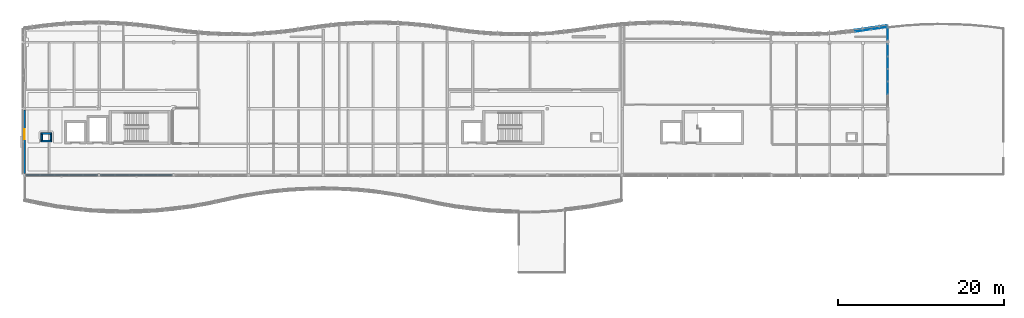
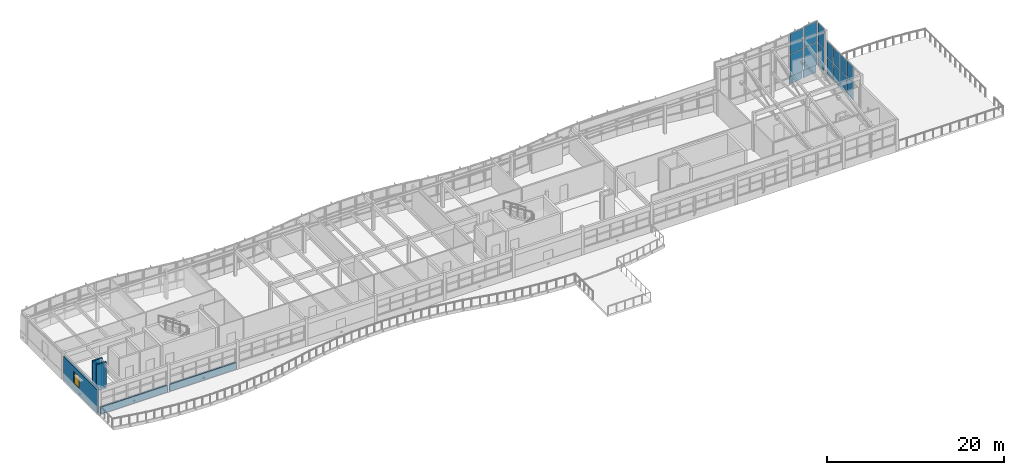
# One storey, part 19 of 33: 16 plates, 7 walls, 1 window, 1 opening, 4 elements without a shape of their own.
"""IFC4 building model written with IfcOpenShell, lengths in metres."""

from ifc_helpers import new_model, si_unit, direction, frame, frame_2d, origin, origin_2d, place, context, subcontext, project, spatial, rectangle, extrude, material, layer, layer_set, type_object, element, fill, aggregate, save


model = new_model("IFC4")

# Units and contexts
model_context = context("Model", 3, precision=1e-05, world=origin(), true_north=direction((0.0, 1.0)))
body_context = subcontext(model_context, "Body", "Model", "MODEL_VIEW")
ifc_project = project(units=[si_unit("LENGTHUNIT", "METRE"), si_unit("AREAUNIT", "SQUARE_METRE"), si_unit("VOLUMEUNIT", "CUBIC_METRE"), si_unit("PLANEANGLEUNIT", "RADIAN"), si_unit("MASSUNIT", "GRAM", prefix="KILO")], contexts=[model_context])

# Site, building, storey
site_placement = place(None, origin())
site = spatial("IfcSite", under=ifc_project, at=site_placement, CompositionType="ELEMENT")
building_placement = place(site_placement, origin())
building = spatial("IfcBuilding", under=site, at=building_placement, Name="Tonlespit Floodbar School", CompositionType="ELEMENT")
storey_placement = place(building_placement, frame((0.0, 0.0, 16.199951171875)))
storey = spatial("IfcBuildingStorey", under=building, at=storey_placement, Name="L04", CompositionType="ELEMENT", Elevation=16.199951171875)

# Curtain wall, plates
ifc_material_1 = material(Name="Anodised Aluminium", Category="aluminium")
ifc_layer_1 = layer(ifc_material_1, 0.159912109375)
ifc_layer_set_1 = layer_set([ifc_layer_1], Name="Anodised Aluminium")
curtain_wall_type_1 = type_object("IfcCurtainWallType", Name="CurtainWall_1950x6150", PredefinedType="NOTDEFINED", material=ifc_layer_set_1)
curtain_wall_1_placement = place(storey_placement, origin())
curtain_wall_1 = element("IfcCurtainWall", 1, at=curtain_wall_1_placement, inside=storey, type_object=curtain_wall_type_1, Name="L04 unitised curtain wall 0489", PredefinedType="NOTDEFINED")
ifc_material_2 = material(Name="Laminated Low-E Glass", Category="glass")
ifc_layer_2 = layer(ifc_material_2, 0.028076171875)
ifc_layer_set_2 = layer_set([ifc_layer_2], Name="Laminated Low-E Glass")
plate_type_1 = type_object("IfcPlateType", Name="CW_Panel_Glaz_28", PredefinedType="CURTAIN_PANEL", material=ifc_layer_set_2)
plate_1_placement = place(storey_placement, frame((147.0, 121.69580078125, 1.01513671875), z_axis=(0.0, 0.0, 1.0), x_axis=(0.989541561858, 0.144248041079, 0.0)))
plate_1 = element("IfcPlate", 2, at=plate_1_placement, type_object=plate_type_1, Name="CW-74 panel 1.1", PredefinedType="CURTAIN_PANEL", context=body_context, shape_type="SweptSolid", body=[
    extrude(rectangle(XDim=1.81103515625, YDim=0.028076171875, at=origin_2d()), origin(), (0.0, 0.0, 1.0), 3.097412109375),
])
plate_2_placement = place(storey_placement, frame((147.0, 121.69580078125, 4.177490234375), z_axis=(0.0, 0.0, 1.0), x_axis=(0.989541561858, 0.144248041079, 0.0)))
plate_2 = element("IfcPlate", 3, at=plate_2_placement, type_object=plate_type_1, Name="CW-74 panel 1.2", PredefinedType="CURTAIN_PANEL", context=body_context, shape_type="SweptSolid", body=[
    extrude(rectangle(XDim=1.81103515625, YDim=0.028076171875, at=origin_2d()), origin(), (0.0, 0.0, 1.0), 2.8515625),
])
aggregate(curtain_wall_1, [plate_1, plate_2])

ifc_layer_3 = layer(ifc_material_1, 0.159912109375)
ifc_layer_set_3 = layer_set([ifc_layer_3], Name="Anodised Aluminium")
curtain_wall_type_2 = type_object("IfcCurtainWallType", Name="CurtainWall_1600x5950", PredefinedType="NOTDEFINED", material=ifc_layer_set_3)
curtain_wall_2_placement = place(storey_placement, origin())
curtain_wall_2 = element("IfcCurtainWall", 4, at=curtain_wall_2_placement, inside=storey, type_object=curtain_wall_type_2, Name="L04 unitised curtain wall 0490", PredefinedType="NOTDEFINED")
ifc_layer_4 = layer(ifc_material_2, 0.031982421875)
ifc_layer_set_4 = layer_set([ifc_layer_4], Name="Laminated Low-E Glass")
plate_type_2 = type_object("IfcPlateType", Name="CW_Panel_Glaz_32", PredefinedType="CURTAIN_PANEL", material=ifc_layer_set_4)
plate_3_placement = place(storey_placement, frame((148.0, 121.000732421875, 1.01513671875), z_axis=(0.0, 0.0, 1.0), x_axis=(0.0, -1.0, 0.0)))
plate_3 = element("IfcPlate", 5, at=plate_3_placement, type_object=plate_type_2, Name="CW-75 panel 1.1", PredefinedType="CURTAIN_PANEL", context=body_context, shape_type="SweptSolid", body=[
    extrude(rectangle(XDim=1.4716796875, YDim=0.031982421875, at=origin_2d()), origin(), (0.0, 0.0, 1.0), 2.989501953125),
])
plate_4_placement = place(storey_placement, frame((148.0, 121.000732421875, 4.06982421875), z_axis=(0.0, 0.0, 1.0), x_axis=(0.0, -1.0, 0.0)))
plate_4 = element("IfcPlate", 6, at=plate_4_placement, type_object=plate_type_2, Name="CW-75 panel 1.2", PredefinedType="CURTAIN_PANEL", context=body_context, shape_type="SweptSolid", body=[
    extrude(rectangle(XDim=1.4716796875, YDim=0.031982421875, at=origin_2d()), origin(), (0.0, 0.0, 1.0), 2.752197265625),
])
aggregate(curtain_wall_2, [plate_3, plate_4])

ifc_layer_5 = layer(ifc_material_1, 0.159912109375)
ifc_layer_set_5 = layer_set([ifc_layer_5], Name="Anodised Aluminium")
curtain_wall_type_3 = type_object("IfcCurtainWallType", Name="CurtainWall_7600x4650", PredefinedType="NOTDEFINED", material=ifc_layer_set_5)
curtain_wall_3_placement = place(storey_placement, origin())
curtain_wall_3 = element("IfcCurtainWall", 7, at=curtain_wall_3_placement, inside=storey, type_object=curtain_wall_type_3, Name="L04 unitised curtain wall 0491", PredefinedType="NOTDEFINED")
ifc_layer_6 = layer(ifc_material_2, 0.035888671875)
ifc_layer_set_6 = layer_set([ifc_layer_6], Name="Laminated Low-E Glass")
plate_type_3 = type_object("IfcPlateType", Name="CW_Panel_Glaz_36", PredefinedType="CURTAIN_PANEL", material=ifc_layer_set_6)
plate_5_placement = place(storey_placement, frame((148.0, 119.023681640625, 1.01513671875), z_axis=(0.0, 0.0, 1.0), x_axis=(0.0, -1.0, 0.0)))
plate_5 = element("IfcPlate", 8, at=plate_5_placement, type_object=plate_type_3, Name="CW-76 panel 1.1", PredefinedType="CURTAIN_PANEL", context=body_context, shape_type="SweptSolid", body=[
    extrude(rectangle(XDim=1.422607421875, YDim=0.035888671875, at=origin_2d()), origin(), (0.0, 0.0, 1.0), 2.322265625),
])
plate_6_placement = place(storey_placement, frame((148.0, 119.023681640625, 3.40234375), z_axis=(0.0, 0.0, 1.0), x_axis=(0.0, -1.0, 0.0)))
plate_6 = element("IfcPlate", 9, at=plate_6_placement, type_object=plate_type_3, Name="CW-76 panel 1.2", PredefinedType="CURTAIN_PANEL", context=body_context, shape_type="SweptSolid", body=[
    extrude(rectangle(XDim=1.422607421875, YDim=0.035888671875, at=origin_2d()), origin(), (0.0, 0.0, 1.0), 2.135986328125),
])
plate_7_placement = place(storey_placement, frame((148.0, 117.52001953125, 1.01513671875), z_axis=(0.0, 0.0, 1.0), x_axis=(0.0, -1.0, 0.0)))
plate_7 = element("IfcPlate", 10, at=plate_7_placement, type_object=plate_type_3, Name="CW-76 panel 2.1", PredefinedType="CURTAIN_PANEL", context=body_context, shape_type="SweptSolid", body=[
    extrude(rectangle(XDim=1.455078125, YDim=0.035888671875, at=origin_2d()), origin(), (0.0, 0.0, 1.0), 2.322265625),
])
plate_8_placement = place(storey_placement, frame((148.0, 117.52001953125, 3.40234375), z_axis=(0.0, 0.0, 1.0), x_axis=(0.0, -1.0, 0.0)))
plate_8 = element("IfcPlate", 11, at=plate_8_placement, type_object=plate_type_3, Name="CW-76 panel 2.2", PredefinedType="CURTAIN_PANEL", context=body_context, shape_type="SweptSolid", body=[
    extrude(rectangle(XDim=1.455078125, YDim=0.035888671875, at=origin_2d()), origin(), (0.0, 0.0, 1.0), 2.135986328125),
])
plate_9_placement = place(storey_placement, frame((148.0, 116.0, 1.01513671875), z_axis=(0.0, 0.0, 1.0), x_axis=(0.0, -1.0, 0.0)))
plate_9 = element("IfcPlate", 12, at=plate_9_placement, type_object=plate_type_3, Name="CW-76 panel 3.1", PredefinedType="CURTAIN_PANEL", context=body_context, shape_type="SweptSolid", body=[
    extrude(rectangle(XDim=1.455078125, YDim=0.035888671875, at=origin_2d()), origin(), (0.0, 0.0, 1.0), 2.322265625),
])
plate_10_placement = place(storey_placement, frame((148.0, 116.0, 3.40234375), z_axis=(0.0, 0.0, 1.0), x_axis=(0.0, -1.0, 0.0)))
plate_10 = element("IfcPlate", 13, at=plate_10_placement, type_object=plate_type_3, Name="CW-76 panel 3.2", PredefinedType="CURTAIN_PANEL", context=body_context, shape_type="SweptSolid", body=[
    extrude(rectangle(XDim=1.455078125, YDim=0.035888671875, at=origin_2d()), origin(), (0.0, 0.0, 1.0), 2.135986328125),
])
plate_11_placement = place(storey_placement, frame((148.0, 114.47998046875, 1.01513671875), z_axis=(0.0, 0.0, 1.0), x_axis=(0.0, -1.0, 0.0)))
plate_11 = element("IfcPlate", 14, at=plate_11_placement, type_object=plate_type_3, Name="CW-76 panel 4.1", PredefinedType="CURTAIN_PANEL", context=body_context, shape_type="SweptSolid", body=[
    extrude(rectangle(XDim=1.455078125, YDim=0.035888671875, at=origin_2d()), origin(), (0.0, 0.0, 1.0), 2.322265625),
])
plate_12_placement = place(storey_placement, frame((148.0, 114.47998046875, 3.40234375), z_axis=(0.0, 0.0, 1.0), x_axis=(0.0, -1.0, 0.0)))
plate_12 = element("IfcPlate", 15, at=plate_12_placement, type_object=plate_type_3, Name="CW-76 panel 4.2", PredefinedType="CURTAIN_PANEL", context=body_context, shape_type="SweptSolid", body=[
    extrude(rectangle(XDim=1.455078125, YDim=0.035888671875, at=origin_2d()), origin(), (0.0, 0.0, 1.0), 2.135986328125),
])
aggregate(curtain_wall_3, [plate_5, plate_6, plate_7, plate_8, plate_9, plate_10, plate_11, plate_12])

ifc_layer_7 = layer(ifc_material_1, 0.159912109375)
ifc_layer_set_7 = layer_set([ifc_layer_7], Name="Anodised Aluminium")
curtain_wall_type_4 = type_object("IfcCurtainWallType", Name="CurtainWall_1950x6050", PredefinedType="NOTDEFINED", material=ifc_layer_set_7)
curtain_wall_4_placement = place(storey_placement, origin())
curtain_wall_4 = element("IfcCurtainWall", 16, at=curtain_wall_4_placement, inside=storey, type_object=curtain_wall_type_4, Name="L04 unitised curtain wall 0488", PredefinedType="NOTDEFINED")
ifc_layer_8 = layer(ifc_material_2, 0.0419921875)
ifc_layer_set_8 = layer_set([ifc_layer_8], Name="Laminated Low-E Glass")
plate_type_4 = type_object("IfcPlateType", Name="CW_Panel_Glaz_42", PredefinedType="CURTAIN_PANEL", material=ifc_layer_set_8)
plate_13_placement = place(storey_placement, frame((145.0, 121.404296875, 1.01513671875), z_axis=(0.0, 0.0, 1.0), x_axis=(0.989541561858, 0.144248041079, 0.0)))
plate_13 = element("IfcPlate", 17, at=plate_13_placement, type_object=plate_type_4, Name="CW-73 panel 1.1", PredefinedType="CURTAIN_PANEL", context=body_context, shape_type="SweptSolid", body=[
    extrude(rectangle(XDim=1.81103515625, YDim=0.0419921875, at=origin_2d()), origin(), (0.0, 0.0, 1.0), 3.051513671875),
])
plate_14_placement = place(storey_placement, frame((145.0, 121.404296875, 4.13134765625), z_axis=(0.0, 0.0, 1.0), x_axis=(0.989541561858, 0.144248041079, 0.0)))
plate_14 = element("IfcPlate", 18, at=plate_14_placement, type_object=plate_type_4, Name="CW-73 panel 1.2", PredefinedType="CURTAIN_PANEL", context=body_context, shape_type="SweptSolid", body=[
    extrude(rectangle(XDim=1.81103515625, YDim=0.0419921875, at=origin_2d()), origin(), (0.0, 0.0, 1.0), 2.809326171875),
])
aggregate(curtain_wall_4, [plate_13, plate_14])

# Plates
ifc_material_3 = material(Name="White Architectural Aluminium", Category="aluminium")
ifc_layer_9 = layer(ifc_material_3, 0.06494140625)
ifc_layer_set_9 = layer_set([ifc_layer_9], Name="White Architectural Aluminium")
plate_type_5 = type_object("IfcPlateType", Name="FacadeRibbon_White_65", PredefinedType="SHEET", material=ifc_layer_set_9)
for number, where, z_axis, x_axis, name in (
    (19, (144.9736328125, 121.584228515625, -0.1201171875), (0.0, 0.0, 1.0), (0.989537627347, 0.144275029245, 0.0), "L04 flowing white street spandrel ribbon 0740"),
    (20, (146.9736328125, 121.8759765625, -0.1201171875), (0.0, 0.0, 1.0), (0.989537627347, 0.144275029245, 0.0), "L04 flowing white street spandrel ribbon 0741"),
):
    element("IfcPlate", number, at=place(storey_placement, frame(where, z_axis=z_axis, x_axis=x_axis)), inside=storey, type_object=plate_type_5, Name=name, PredefinedType="SHEET", context=body_context, shape_type="SweptSolid", body=[
        extrude(rectangle(XDim=1.861083984375, YDim=0.06494140625, at=origin_2d()), origin(), (0.0, 0.0, 1.0), 1.070068359375),
    ])

# Wall, opening, window
ifc_material_4 = material(Name="Precast concrete C40/50", Category="concrete")
ifc_layer_10 = layer(ifc_material_4, 0.239990234375)
ifc_layer_set_10 = layer_set([ifc_layer_10], Name="Precast concrete C40/50")
wall_type_1 = type_object("IfcWallType", Name="ExtWall_Rainscreen_240", PredefinedType="SOLIDWALL", material=ifc_layer_set_10)
wall_1_placement = place(storey_placement, frame((44.0, 104.159912109375, 0.0), z_axis=(0.0, 0.0, 1.0), x_axis=(0.0, 1.0, 0.0)))
wall_1 = element("IfcWall", 21, at=wall_1_placement, inside=storey, type_object=wall_type_1, Name="L04 external wall 0233", PredefinedType="SOLIDWALL", context=body_context, shape_type="SweptSolid", body=[
    extrude(rectangle(XDim=7.68017578125, YDim=0.239990234375, at=frame_2d((3.840087890625, 0.0))), origin(), (0.0, 0.0, 1.0), 3.2900390625),
])
opening_placement = place(wall_1_placement, frame((4.139892578125, 0.0, 0.949951171875)))
opening = element("IfcOpeningElement", 22, at=opening_placement, cuts=wall_1, Name="Opening W-L04-009", PredefinedType="OPENING", context=body_context, shape_type="SweptSolid", body=[
    extrude(rectangle(XDim=1.199951171875, YDim=1.64990234375, at=frame_2d((0.60009765625, 0.824951171875))), frame((0.0, 0.1298828125, 0.0), z_axis=(0.0, -1.0, 0.0), x_axis=(1.0, 0.0, 0.0)), (0.0, 0.0, 1.0), 0.260009765625),
])
ifc_material_5 = material(Name="Tempered Double Glazing", Category="glass")
window_type = type_object("IfcWindowType", Name="Win_Mod_1200x1650", PartitioningType="SINGLE_PANEL", PredefinedType="WINDOW", material=ifc_material_5)
window_placement = place(opening_placement, origin())
window = element("IfcWindow", 23, at=window_placement, inside=storey, type_object=window_type, Name="L04 window W-L04-009", OverallHeight=1.64990234375, OverallWidth=1.199951171875, PartitioningType="SINGLE_PANEL", PredefinedType="WINDOW", context=body_context, shape_type="SweptSolid", body=[
    extrude(rectangle(XDim=1.199951171875, YDim=1.64990234375, at=frame_2d((0.60009765625, 0.824951171875))), frame((0.0, 0.030029296875, 0.0), z_axis=(0.0, -1.0, 0.0), x_axis=(1.0, 0.0, 0.0)), (0.0, 0.0, 1.0), 0.06005859375),
])
fill(opening, window)

# Walls
ifc_material_6 = material(Name="White Architectural Precast concrete C40/50", Category="concrete")
ifc_layer_11 = layer(ifc_material_6, 0.199951171875)
ifc_layer_set_11 = layer_set([ifc_layer_11], Name="White Architectural Precast concrete C40/50")
wall_type_2 = type_object("IfcWallType", Name="ExtWall_Spandrel_White_200", PredefinedType="SOLIDWALL", material=ifc_layer_set_11)
for number, where, z_axis, x_axis, name in (
    (24, (61.840087890625, 104.0, 0.0), (0.0, 0.0, 1.0), (-1.0, 0.0, 0.0), "L04 spandrel wall 0231"),
    (25, (52.840087890625, 104.0, 0.0), (0.0, 0.0, 1.0), (-1.0, 0.0, 0.0), "L04 spandrel wall 0232"),
):
    element("IfcWall", number, at=place(storey_placement, frame(where, z_axis=z_axis, x_axis=x_axis)), inside=storey, type_object=wall_type_2, Name=name, PredefinedType="SOLIDWALL", context=body_context, shape_type="SweptSolid", body=[
        extrude(rectangle(XDim=8.68017578125, YDim=0.199951171875, at=frame_2d((4.340087890625, 0.0))), origin(), (0.0, 0.0, 1.0), 0.949951171875),
    ])
ifc_material_7 = material(Name="Concrete C40/50", Category="concrete")
ifc_layer_12 = layer(ifc_material_7, 0.199951171875)
ifc_layer_set_12 = layer_set([ifc_layer_12], Name="Concrete C40/50")
wall_type_3 = type_object("IfcWallType", Name="FireWall_Plant_200", PredefinedType="PARTITIONING", material=ifc_layer_set_12)
for number, where, z_axis, x_axis, name in (
    (26, (47.300048828125, 108.10009765625, 0.0), (0.0, 0.0, 1.0), (-1.0, 0.0, 0.0), "L04 service riser 01 wall S"),
    (27, (46.0, 109.0, 0.0), (0.0, 0.0, 1.0), (1.0, 0.0, 0.0), "L04 service riser 01 wall N"),
):
    element("IfcWall", number, at=place(storey_placement, frame(where, z_axis=z_axis, x_axis=x_axis)), inside=storey, type_object=wall_type_3, Name=name, PredefinedType="PARTITIONING", context=body_context, shape_type="SweptSolid", body=[
        extrude(rectangle(XDim=1.300048828125, YDim=0.199951171875, at=frame_2d((0.64990234375, 0.0))), origin(), (0.0, 0.0, 1.0), 3.650146484375),
    ])
wall_2_placement = place(storey_placement, frame((46.10009765625, 108.199951171875, 0.0), z_axis=(0.0, 0.0, 1.0), x_axis=(0.0, 1.0, 0.0)))
element("IfcWall", 28, at=wall_2_placement, inside=storey, type_object=wall_type_3, Name="L04 service riser 01 wall W", PredefinedType="PARTITIONING", context=body_context, shape_type="SweptSolid", body=[
    extrude(rectangle(XDim=0.699951171875, YDim=0.199951171875, at=frame_2d((0.35009765625, 0.0))), origin(), (0.0, 0.0, 1.0), 3.650146484375),
])
wall_3_placement = place(storey_placement, frame((47.199951171875, 108.89990234375, 0.0), z_axis=(0.0, 0.0, 1.0), x_axis=(0.0, -1.0, 0.0)))
element("IfcWall", 29, at=wall_3_placement, inside=storey, type_object=wall_type_3, Name="L04 service riser 01 wall E", PredefinedType="PARTITIONING", context=body_context, shape_type="SweptSolid", body=[
    extrude(rectangle(XDim=0.699951171875, YDim=0.199951171875, at=frame_2d((0.35009765625, 0.0))), origin(), (0.0, 0.0, 1.0), 3.25),
])

save(model, "model.ifc")
